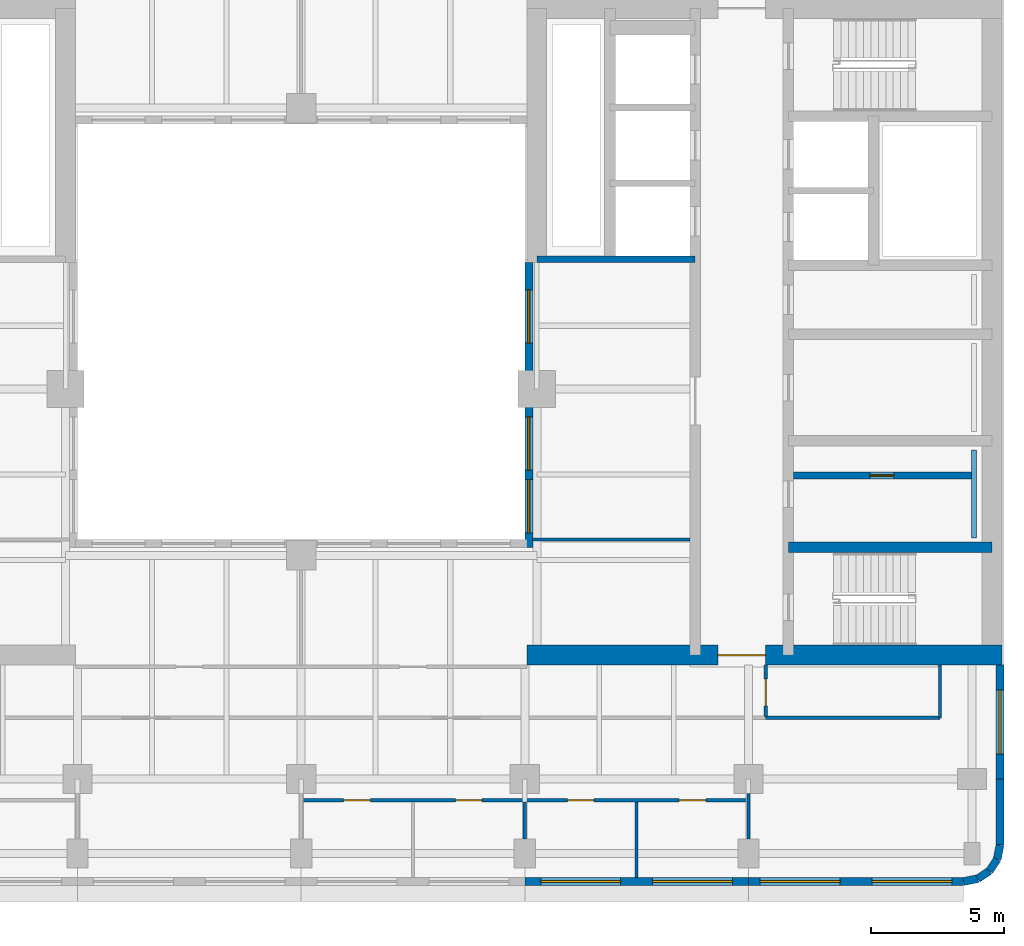
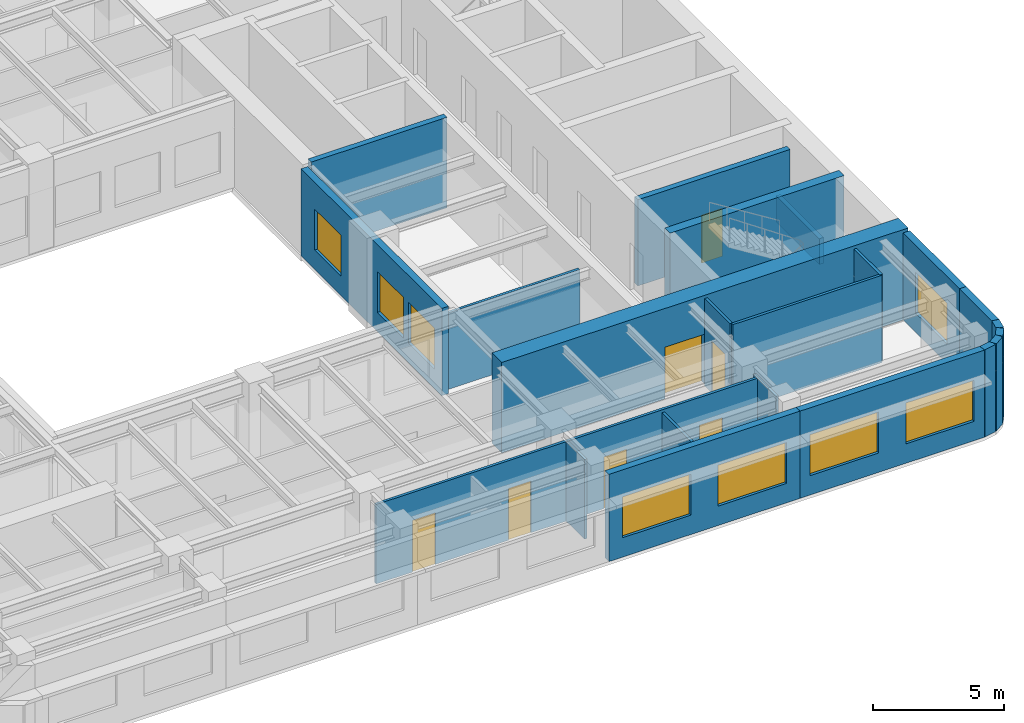
# One storey, part 5 of 11: 22 walls, 8 windows, 7 doors, 15 openings.
"""IFC4 building model written with IfcOpenShell, lengths in metres."""

from ifc_helpers import new_model, si_unit, direction, frame, frame_2d, origin, place, context, subcontext, project, spatial, rectangle, extrude, material, layer, layer_set, type_object, element, fill, save


model = new_model("IFC4")

# Units and contexts
model_context = context("Model", 3, precision=1e-05, world=origin(), true_north=direction((0.0, 1.0)))
body_context = subcontext(model_context, "Body", "Model", "MODEL_VIEW")
ifc_project = project(units=[si_unit("LENGTHUNIT", "METRE"), si_unit("AREAUNIT", "SQUARE_METRE"), si_unit("VOLUMEUNIT", "CUBIC_METRE"), si_unit("PLANEANGLEUNIT", "RADIAN"), si_unit("MASSUNIT", "GRAM", prefix="KILO")], contexts=[model_context])

# Site, building, storey
site_placement = place(None, origin())
site = spatial("IfcSite", under=ifc_project, at=site_placement, CompositionType="ELEMENT")
building_placement = place(site_placement, origin())
building = spatial("IfcBuilding", under=site, at=building_placement, Name="Claustro Exchange Tower", CompositionType="ELEMENT")
storey_placement = place(building_placement, frame((0.0, 0.0, 232.199951171875)))
storey = spatial("IfcBuildingStorey", under=building, at=storey_placement, Name="L53", CompositionType="ELEMENT", Elevation=232.199951171875)

# Wall
ifc_material_1 = material(Name="Laminated glass in aluminium frame", Category="aluminium")
ifc_layer_1 = layer(ifc_material_1, 0.1201171875)
ifc_layer_set_1 = layer_set([ifc_layer_1], Name="Laminated glass in aluminium frame")
wall_type_1 = type_object("IfcWallType", Name="P2 120 glazed partition", PredefinedType="PARTITIONING", material=ifc_layer_set_1)
wall_1_placement = place(storey_placement, frame((33.89794921875, 17.39990234375, 0.0), z_axis=(0.0, 0.0, 1.0), x_axis=(1.0, 0.0, 0.0)))
element("IfcWall", 1, at=wall_1_placement, inside=storey, type_object=wall_type_1, Name="Partition P2 L53", PredefinedType="PARTITIONING", context=body_context, shape_type="SweptSolid", body=[
    extrude(rectangle(XDim=5.904052734375, YDim=0.1201171875, at=frame_2d((2.9521484375, 0.0))), origin(), (0.0, 0.0, 1.0), 3.550048828125),
])

# Wall, openings, doors
wall_2_placement = place(storey_placement, frame((25.199951171875, 7.60009765625, 0.0), z_axis=(0.0, 0.0, 1.0), x_axis=(1.0, 0.0, 0.0)))
wall_2 = element("IfcWall", 2, at=wall_2_placement, inside=storey, type_object=wall_type_1, Name="Partition P2 L53", PredefinedType="PARTITIONING", context=body_context, shape_type="SweptSolid", body=[
    extrude(rectangle(XDim=16.800048828125, YDim=0.1201171875, at=frame_2d((8.39990234375, 0.0))), origin(), (0.0, 0.0, 1.0), 3.68994140625),
])
opening_1_placement = place(wall_2_placement, frame((1.60009765625, 0.0, 0.0)))
opening_1 = element("IfcOpeningElement", 3, at=opening_1_placement, cuts=wall_2, Name="Opening D7", PredefinedType="OPENING", context=body_context, shape_type="SweptSolid", body=[
    extrude(rectangle(XDim=1.0, YDim=2.39990234375, at=frame_2d((0.5, 1.199951171875))), frame((0.0, 0.070068359375, 0.0), z_axis=(0.0, -1.0, 0.0), x_axis=(1.0, 0.0, 0.0)), (0.0, 0.0, 1.0), 0.14013671875),
])
opening_2_placement = place(wall_2_placement, frame((5.800048828125, 0.0, 0.0)))
opening_2 = element("IfcOpeningElement", 4, at=opening_2_placement, cuts=wall_2, Name="Opening D7", PredefinedType="OPENING", context=body_context, shape_type="SweptSolid", body=[
    extrude(rectangle(XDim=1.0, YDim=2.39990234375, at=frame_2d((0.5, 1.199951171875))), frame((0.0, 0.070068359375, 0.0), z_axis=(0.0, -1.0, 0.0), x_axis=(1.0, 0.0, 0.0)), (0.0, 0.0, 1.0), 0.14013671875),
])
opening_3_placement = place(wall_2_placement, frame((10.0, 0.0, 0.0)))
opening_3 = element("IfcOpeningElement", 5, at=opening_3_placement, cuts=wall_2, Name="Opening D7", PredefinedType="OPENING", context=body_context, shape_type="SweptSolid", body=[
    extrude(rectangle(XDim=1.0, YDim=2.39990234375, at=frame_2d((0.5, 1.199951171875))), frame((0.0, 0.070068359375, 0.0), z_axis=(0.0, -1.0, 0.0), x_axis=(1.0, 0.0, 0.0)), (0.0, 0.0, 1.0), 0.14013671875),
])
opening_4_placement = place(wall_2_placement, frame((14.199951171875, 0.0, 0.0)))
opening_4 = element("IfcOpeningElement", 6, at=opening_4_placement, cuts=wall_2, Name="Opening D7", PredefinedType="OPENING", context=body_context, shape_type="SweptSolid", body=[
    extrude(rectangle(XDim=1.0, YDim=2.39990234375, at=frame_2d((0.5, 1.199951171875))), frame((0.0, 0.070068359375, 0.0), z_axis=(0.0, -1.0, 0.0), x_axis=(1.0, 0.0, 0.0)), (0.0, 0.0, 1.0), 0.14013671875),
])
ifc_material_2 = material(Name="Glass door in aluminium frame", Category="aluminium")
door_type_1 = type_object("IfcDoorType", Name="D7 1000 x 2400 glazed door", OperationType="SINGLE_SWING_LEFT", PredefinedType="DOOR", material=ifc_material_2)
door_1_placement = place(opening_1_placement, frame((1.0, 0.0, 0.0), z_axis=(0.0, 0.0, 1.0), x_axis=(-1.0, 0.0, 0.0)))
door_1 = element("IfcDoor", 7, at=door_1_placement, inside=storey, type_object=door_type_1, Name="Door D7 L53", OperationType="SINGLE_SWING_LEFT", OverallHeight=2.39990234375, OverallWidth=1.0, PredefinedType="DOOR", context=body_context, shape_type="SweptSolid", body=[
    extrude(rectangle(XDim=1.0, YDim=2.39990234375, at=frame_2d((0.5, 1.199951171875))), frame((0.0, 0.02490234375, 0.0), z_axis=(0.0, -1.0, 0.0), x_axis=(1.0, 0.0, 0.0)), (0.0, 0.0, 1.0), 0.050048828125),
])
fill(opening_1, door_1)
door_2_placement = place(opening_2_placement, frame((1.0, 0.0, 0.0), z_axis=(0.0, 0.0, 1.0), x_axis=(-1.0, 0.0, 0.0)))
door_2 = element("IfcDoor", 8, at=door_2_placement, inside=storey, type_object=door_type_1, Name="Door D7 L53", OperationType="SINGLE_SWING_RIGHT", OverallHeight=2.39990234375, OverallWidth=1.0, PredefinedType="DOOR", context=body_context, shape_type="SweptSolid", body=[
    extrude(rectangle(XDim=1.0, YDim=2.39990234375, at=frame_2d((0.5, 1.199951171875))), frame((0.0, 0.02490234375, 0.0), z_axis=(0.0, -1.0, 0.0), x_axis=(1.0, 0.0, 0.0)), (0.0, 0.0, 1.0), 0.050048828125),
])
fill(opening_2, door_2)
door_3_placement = place(opening_3_placement, frame((1.0, 0.0, 0.0), z_axis=(0.0, 0.0, 1.0), x_axis=(-1.0, 0.0, 0.0)))
door_3 = element("IfcDoor", 9, at=door_3_placement, inside=storey, type_object=door_type_1, Name="Door D7 L53", OperationType="SINGLE_SWING_RIGHT", OverallHeight=2.39990234375, OverallWidth=1.0, PredefinedType="DOOR", context=body_context, shape_type="SweptSolid", body=[
    extrude(rectangle(XDim=1.0, YDim=2.39990234375, at=frame_2d((0.5, 1.199951171875))), frame((0.0, 0.02490234375, 0.0), z_axis=(0.0, -1.0, 0.0), x_axis=(1.0, 0.0, 0.0)), (0.0, 0.0, 1.0), 0.050048828125),
])
fill(opening_3, door_3)
door_4_placement = place(opening_4_placement, frame((1.0, 0.0, 0.0), z_axis=(0.0, 0.0, 1.0), x_axis=(-1.0, 0.0, 0.0)))
door_4 = element("IfcDoor", 10, at=door_4_placement, inside=storey, type_object=door_type_1, Name="Door D7 L53", OperationType="SINGLE_SWING_RIGHT", OverallHeight=2.39990234375, OverallWidth=1.0, PredefinedType="DOOR", context=body_context, shape_type="SweptSolid", body=[
    extrude(rectangle(XDim=1.0, YDim=2.39990234375, at=frame_2d((0.5, 1.199951171875))), frame((0.0, 0.02490234375, 0.0), z_axis=(0.0, -1.0, 0.0), x_axis=(1.0, 0.0, 0.0)), (0.0, 0.0, 1.0), 0.050048828125),
])
fill(opening_4, door_4)

# Walls
wall_3_placement = place(storey_placement, frame((33.60009765625, 6.14892578125, 0.0), z_axis=(0.0, 0.0, 1.0), x_axis=(0.0, 1.0, 0.0)))
element("IfcWall", 11, at=wall_3_placement, inside=storey, type_object=wall_type_1, Name="Partition P2 L53", PredefinedType="PARTITIONING", context=body_context, shape_type="SweptSolid", body=[
    extrude(rectangle(XDim=1.39306640625, YDim=0.1201171875, at=frame_2d((0.696533203125, 0.0))), origin(), (0.0, 0.0, 1.0), 3.68994140625),
])
wall_4_placement = place(storey_placement, frame((37.800048828125, 4.699951171875, 0.0), z_axis=(0.0, 0.0, 1.0), x_axis=(0.0, 1.0, 0.0)))
element("IfcWall", 12, at=wall_4_placement, inside=storey, type_object=wall_type_1, Name="Partition P2 L53", PredefinedType="PARTITIONING", context=body_context, shape_type="SweptSolid", body=[
    extrude(rectangle(XDim=2.842041015625, YDim=0.1201171875, at=frame_2d((1.4208984375, 0.0))), origin(), (0.0, 0.0, 1.0), 3.56005859375),
])
wall_5_placement = place(storey_placement, frame((42.0, 6.14892578125, 0.0), z_axis=(0.0, 0.0, 1.0), x_axis=(0.0, 1.0, 0.0)))
element("IfcWall", 13, at=wall_5_placement, inside=storey, type_object=wall_type_1, Name="Partition P2 L53", PredefinedType="PARTITIONING", context=body_context, shape_type="SweptSolid", body=[
    extrude(rectangle(XDim=1.703125, YDim=0.1201171875, at=frame_2d((0.8515625, 0.0))), origin(), (0.0, 0.0, 1.0), 3.68994140625),
])

# Wall, opening, door
wall_6_placement = place(storey_placement, frame((42.64990234375, 10.758056640625, 0.0), z_axis=(0.0, 0.0, 1.0), x_axis=(0.0, 1.0, 0.0)))
wall_6 = element("IfcWall", 14, at=wall_6_placement, inside=storey, type_object=wall_type_1, Name="Partition P2 L53", PredefinedType="PARTITIONING", context=body_context, shape_type="SweptSolid", body=[
    extrude(rectangle(XDim=1.91796875, YDim=0.1201171875, at=frame_2d((0.958984375, 0.0))), origin(), (0.0, 0.0, 1.0), 4.050048828125),
])
opening_5_placement = place(wall_6_placement, frame((0.39208984375, 0.0, 0.0)))
opening_5 = element("IfcOpeningElement", 15, at=opening_5_placement, cuts=wall_6, Name="Opening D7", PredefinedType="OPENING", context=body_context, shape_type="SweptSolid", body=[
    extrude(rectangle(XDim=1.0, YDim=2.39990234375, at=frame_2d((0.5, 1.199951171875))), frame((0.0, 0.070068359375, 0.0), z_axis=(0.0, -1.0, 0.0), x_axis=(1.0, 0.0, 0.0)), (0.0, 0.0, 1.0), 0.14013671875),
])
door_5_placement = place(opening_5_placement, frame((1.0, 0.0, 0.0), z_axis=(0.0, 0.0, 1.0), x_axis=(-1.0, 0.0, 0.0)))
door_5 = element("IfcDoor", 16, at=door_5_placement, inside=storey, type_object=door_type_1, Name="Door D7 L53", OperationType="SINGLE_SWING_RIGHT", OverallHeight=2.39990234375, OverallWidth=1.0, PredefinedType="DOOR", context=body_context, shape_type="SweptSolid", body=[
    extrude(rectangle(XDim=1.0, YDim=2.39990234375, at=frame_2d((0.5, 1.199951171875))), frame((0.0, 0.02490234375, 0.0), z_axis=(0.0, -1.0, 0.0), x_axis=(1.0, 0.0, 0.0)), (0.0, 0.0, 1.0), 0.050048828125),
])
fill(opening_5, door_5)

# Walls
wall_7_placement = place(storey_placement, frame((42.64794921875, 10.699951171875, 0.0), z_axis=(0.0, 0.0, 1.0), x_axis=(1.0, 0.0, 0.0)))
element("IfcWall", 17, at=wall_7_placement, inside=storey, type_object=wall_type_1, Name="Partition P2 L53", PredefinedType="PARTITIONING", context=body_context, shape_type="SweptSolid", body=[
    extrude(rectangle(XDim=6.552001953125, YDim=0.1201171875, at=frame_2d((3.27587890625, 0.0))), origin(), (0.0, 0.0, 1.0), 4.050048828125),
])
wall_8_placement = place(storey_placement, frame((49.199951171875, 10.699951171875, 0.0), z_axis=(0.0, 0.0, 1.0), x_axis=(0.0, 1.0, 0.0)))
element("IfcWall", 18, at=wall_8_placement, inside=storey, type_object=wall_type_1, Name="Partition P2 L53", PredefinedType="PARTITIONING", context=body_context, shape_type="SweptSolid", body=[
    extrude(rectangle(XDim=1.97607421875, YDim=0.1201171875, at=frame_2d((0.988037109375, 0.0))), origin(), (0.0, 0.0, 1.0), 4.050048828125),
])

# Wall, opening, door
ifc_material_3 = material(Name="Concrete blockwork, rendered", Category="masonry")
ifc_layer_2 = layer(ifc_material_3, 0.25)
ifc_layer_set_2 = layer_set([ifc_layer_2], Name="Concrete blockwork, rendered")
wall_type_2 = type_object("IfcWallType", Name="P4 250 blockwork wall", PredefinedType="PARTITIONING", material=ifc_layer_set_2)
wall_9_placement = place(storey_placement, frame((43.699951171875, 19.800048828125, 0.0), z_axis=(0.0, 0.0, 1.0), x_axis=(1.0, 0.0, 0.0)))
wall_9 = element("IfcWall", 19, at=wall_9_placement, inside=storey, type_object=wall_type_2, Name="Partition P4 L53", PredefinedType="PARTITIONING", context=body_context, shape_type="SweptSolid", body=[
    extrude(rectangle(XDim=6.675048828125, YDim=0.25, at=frame_2d((3.33740234375, 0.0))), origin(), (0.0, 0.0, 1.0), 4.0),
])
opening_6_placement = place(wall_9_placement, frame((2.862548828125, 0.0, 0.0)))
opening_6 = element("IfcOpeningElement", 20, at=opening_6_placement, cuts=wall_9, Name="Opening D5", PredefinedType="OPENING", context=body_context, shape_type="SweptSolid", body=[
    extrude(rectangle(XDim=0.89990234375, YDim=2.199951171875, at=frame_2d((0.449951171875, 1.10009765625))), frame((0.0, 0.135009765625, 0.0), z_axis=(0.0, -1.0, 0.0), x_axis=(1.0, 0.0, 0.0)), (0.0, 0.0, 1.0), 0.27001953125),
])
ifc_material_4 = material(Name="Steel door, painted", Category="steel")
door_type_2 = type_object("IfcDoorType", Name="D5 900 x 2200 store door", OperationType="SINGLE_SWING_LEFT", PredefinedType="DOOR", material=ifc_material_4)
door_6_placement = place(opening_6_placement, origin())
door_6 = element("IfcDoor", 21, at=door_6_placement, inside=storey, type_object=door_type_2, Name="Store door D5 L53", OperationType="SINGLE_SWING_LEFT", OverallHeight=2.199951171875, OverallWidth=0.89990234375, PredefinedType="DOOR", context=body_context, shape_type="SweptSolid", body=[
    extrude(rectangle(XDim=0.89990234375, YDim=2.199951171875, at=frame_2d((0.449951171875, 1.10009765625))), frame((0.0, 0.02490234375, 0.0), z_axis=(0.0, -1.0, 0.0), x_axis=(1.0, 0.0, 0.0)), (0.0, 0.0, 1.0), 0.050048828125),
])
fill(opening_6, door_6)

# Wall, openings, windows
ifc_material_5 = material(Name="Concrete HA-40 (C40/50), precast, white cement, acid-etched", Category="concrete")
ifc_layer_3 = layer(ifc_material_5, 0.300048828125)
ifc_layer_set_3 = layer_set([ifc_layer_3], Name="Concrete HA-40 (C40/50), precast, white cement, acid-etched")
wall_type_3 = type_object("IfcWallType", Name="PC1 300 precast concrete pier panel", PredefinedType="SOLIDWALL", material=ifc_layer_set_3)
wall_10_placement = place(storey_placement, frame((50.085205078125, 4.550048828125, 0.0), z_axis=(0.0, 0.0, 1.0), x_axis=(-1.0, 0.0, 0.0)))
wall_10 = element("IfcWall", 22, at=wall_10_placement, inside=storey, type_object=wall_type_3, Name="Precast pier panel PC1 L53", PredefinedType="SOLIDWALL", context=body_context, shape_type="SweptSolid", body=[
    extrude(rectangle(XDim=8.085205078125, YDim=0.300048828125, at=frame_2d((4.04248046875, 0.0))), origin(), (0.0, 0.0, 1.0), 4.050048828125),
])
opening_7_placement = place(wall_10_placement, frame((0.442626953125, 0.0, 0.89990234375)))
opening_7 = element("IfcOpeningElement", 23, at=opening_7_placement, cuts=wall_10, Name="Opening W1", PredefinedType="OPENING", context=body_context, shape_type="SweptSolid", body=[
    extrude(rectangle(XDim=3.0, YDim=1.89990234375, at=frame_2d((1.5, 0.949951171875))), frame((0.0, 0.159912109375, 0.0), z_axis=(0.0, -1.0, 0.0), x_axis=(1.0, 0.0, 0.0)), (0.0, 0.0, 1.0), 0.320068359375),
])
opening_8_placement = place(wall_10_placement, frame((4.642578125, 0.0, 0.89990234375)))
opening_8 = element("IfcOpeningElement", 24, at=opening_8_placement, cuts=wall_10, Name="Opening W1", PredefinedType="OPENING", context=body_context, shape_type="SweptSolid", body=[
    extrude(rectangle(XDim=3.0, YDim=1.89990234375, at=frame_2d((1.5, 0.949951171875))), frame((0.0, 0.159912109375, 0.0), z_axis=(0.0, -1.0, 0.0), x_axis=(1.0, 0.0, 0.0)), (0.0, 0.0, 1.0), 0.320068359375),
])
ifc_material_6 = material(Name="Aluminium frame, clear double glazing", Category="aluminium")
window_type_1 = type_object("IfcWindowType", Name="W1 3000 x 1900 window", PartitioningType="SINGLE_PANEL", PredefinedType="WINDOW", material=ifc_material_6)
window_1_placement = place(opening_7_placement, origin())
window_1 = element("IfcWindow", 25, at=window_1_placement, inside=storey, type_object=window_type_1, Name="Window W1 L53", OverallHeight=1.89990234375, OverallWidth=3.0, PartitioningType="SINGLE_PANEL", PredefinedType="WINDOW", context=body_context, shape_type="SweptSolid", body=[
    extrude(rectangle(XDim=3.0, YDim=1.89990234375, at=frame_2d((1.5, 0.949951171875))), frame((0.0, 0.030029296875, 0.0), z_axis=(0.0, -1.0, 0.0), x_axis=(1.0, 0.0, 0.0)), (0.0, 0.0, 1.0), 0.06005859375),
])
fill(opening_7, window_1)
window_2_placement = place(opening_8_placement, origin())
window_2 = element("IfcWindow", 26, at=window_2_placement, inside=storey, type_object=window_type_1, Name="Window W1 L53", OverallHeight=1.89990234375, OverallWidth=3.0, PartitioningType="SINGLE_PANEL", PredefinedType="WINDOW", context=body_context, shape_type="SweptSolid", body=[
    extrude(rectangle(XDim=3.0, YDim=1.89990234375, at=frame_2d((1.5, 0.949951171875))), frame((0.0, 0.030029296875, 0.0), z_axis=(0.0, -1.0, 0.0), x_axis=(1.0, 0.0, 0.0)), (0.0, 0.0, 1.0), 0.06005859375),
])
fill(opening_8, window_2)

wall_11_placement = place(storey_placement, frame((42.0, 4.550048828125, 0.0), z_axis=(0.0, 0.0, 1.0), x_axis=(-1.0, 0.0, 0.0)))
wall_11 = element("IfcWall", 27, at=wall_11_placement, inside=storey, type_object=wall_type_3, Name="Precast pier panel PC1 L53", PredefinedType="SOLIDWALL", context=body_context, shape_type="SweptSolid", body=[
    extrude(rectangle(XDim=8.39990234375, YDim=0.300048828125, at=frame_2d((4.199951171875, 0.0))), origin(), (0.0, 0.0, 1.0), 4.050048828125),
])
opening_9_placement = place(wall_11_placement, frame((0.60009765625, 0.0, 0.89990234375)))
opening_9 = element("IfcOpeningElement", 28, at=opening_9_placement, cuts=wall_11, Name="Opening W1", PredefinedType="OPENING", context=body_context, shape_type="SweptSolid", body=[
    extrude(rectangle(XDim=3.0, YDim=1.89990234375, at=frame_2d((1.5, 0.949951171875))), frame((0.0, 0.159912109375, 0.0), z_axis=(0.0, -1.0, 0.0), x_axis=(1.0, 0.0, 0.0)), (0.0, 0.0, 1.0), 0.320068359375),
])
opening_10_placement = place(wall_11_placement, frame((4.800048828125, 0.0, 0.89990234375)))
opening_10 = element("IfcOpeningElement", 29, at=opening_10_placement, cuts=wall_11, Name="Opening W1", PredefinedType="OPENING", context=body_context, shape_type="SweptSolid", body=[
    extrude(rectangle(XDim=3.0, YDim=1.89990234375, at=frame_2d((1.5, 0.949951171875))), frame((0.0, 0.159912109375, 0.0), z_axis=(0.0, -1.0, 0.0), x_axis=(1.0, 0.0, 0.0)), (0.0, 0.0, 1.0), 0.320068359375),
])
window_3_placement = place(opening_9_placement, origin())
window_3 = element("IfcWindow", 30, at=window_3_placement, inside=storey, type_object=window_type_1, Name="Window W1 L53", OverallHeight=1.89990234375, OverallWidth=3.0, PartitioningType="SINGLE_PANEL", PredefinedType="WINDOW", context=body_context, shape_type="SweptSolid", body=[
    extrude(rectangle(XDim=3.0, YDim=1.89990234375, at=frame_2d((1.5, 0.949951171875))), frame((0.0, 0.030029296875, 0.0), z_axis=(0.0, -1.0, 0.0), x_axis=(1.0, 0.0, 0.0)), (0.0, 0.0, 1.0), 0.06005859375),
])
fill(opening_9, window_3)
window_4_placement = place(opening_10_placement, origin())
window_4 = element("IfcWindow", 31, at=window_4_placement, inside=storey, type_object=window_type_1, Name="Window W1 L53", OverallHeight=1.89990234375, OverallWidth=3.0, PartitioningType="SINGLE_PANEL", PredefinedType="WINDOW", context=body_context, shape_type="SweptSolid", body=[
    extrude(rectangle(XDim=3.0, YDim=1.89990234375, at=frame_2d((1.5, 0.949951171875))), frame((0.0, 0.030029296875, 0.0), z_axis=(0.0, -1.0, 0.0), x_axis=(1.0, 0.0, 0.0)), (0.0, 0.0, 1.0), 0.06005859375),
])
fill(opening_10, window_4)

# Wall, opening, window
wall_12_placement = place(storey_placement, frame((51.449951171875, 12.675048828125, 0.0), z_axis=(0.0, 0.0, 1.0), x_axis=(0.0, -1.0, 0.0)))
wall_12 = element("IfcWall", 32, at=wall_12_placement, inside=storey, type_object=wall_type_3, Name="Precast pier panel PC1 L53", PredefinedType="SOLIDWALL", context=body_context, shape_type="SweptSolid", body=[
    extrude(rectangle(XDim=4.275146484375, YDim=0.300048828125, at=frame_2d((2.1376953125, 0.0))), origin(), (0.0, 0.0, 1.0), 4.050048828125),
])
opening_11_placement = place(wall_12_placement, frame((0.9375, 0.0, 0.89990234375)))
opening_11 = element("IfcOpeningElement", 33, at=opening_11_placement, cuts=wall_12, Name="Opening W2", PredefinedType="OPENING", context=body_context, shape_type="SweptSolid", body=[
    extrude(rectangle(XDim=2.39990234375, YDim=1.89990234375, at=frame_2d((1.199951171875, 0.949951171875))), frame((0.0, 0.159912109375, 0.0), z_axis=(0.0, -1.0, 0.0), x_axis=(1.0, 0.0, 0.0)), (0.0, 0.0, 1.0), 0.320068359375),
])
ifc_material_7 = material(Name="Aluminium frame, clear double glazing", Category="aluminium")
window_type_2 = type_object("IfcWindowType", Name="W2 2400 x 1900 window", PartitioningType="SINGLE_PANEL", PredefinedType="WINDOW", material=ifc_material_7)
window_5_placement = place(opening_11_placement, origin())
window_5 = element("IfcWindow", 34, at=window_5_placement, inside=storey, type_object=window_type_2, Name="Window W2 L53", OverallHeight=1.89990234375, OverallWidth=2.39990234375, PartitioningType="SINGLE_PANEL", PredefinedType="WINDOW", context=body_context, shape_type="SweptSolid", body=[
    extrude(rectangle(XDim=2.39990234375, YDim=1.89990234375, at=frame_2d((1.199951171875, 0.949951171875))), frame((0.0, 0.030029296875, 0.0), z_axis=(0.0, -1.0, 0.0), x_axis=(1.0, 0.0, 0.0)), (0.0, 0.0, 1.0), 0.06005859375),
])
fill(opening_11, window_5)

# Walls
wall_13_placement = place(storey_placement, frame((51.449951171875, 8.39990234375, 0.0), z_axis=(0.0, 0.0, 1.0), x_axis=(0.0, -1.0, 0.0)))
element("IfcWall", 35, at=wall_13_placement, inside=storey, type_object=wall_type_3, Name="Precast pier panel PC1 L53", PredefinedType="SOLIDWALL", context=body_context, shape_type="SweptSolid", body=[
    extrude(rectangle(XDim=2.485107421875, YDim=0.300048828125, at=frame_2d((1.24267578125, 0.0))), origin(), (0.0, 0.0, 1.0), 4.050048828125),
])
wall_14_placement = place(storey_placement, frame((51.449951171875, 5.914794921875, 0.0), z_axis=(0.0, 0.0, 1.0), x_axis=(-0.195073962632, -0.980788534345, 0.0)))
element("IfcWall", 36, at=wall_14_placement, inside=storey, type_object=wall_type_3, Name="Precast pier panel PC1 L53", PredefinedType="SOLIDWALL", context=body_context, shape_type="SweptSolid", body=[
    extrude(rectangle(XDim=0.540771484375, YDim=0.300048828125, at=frame_2d((0.2705078125, 0.0))), origin(), (0.0, 0.0, 1.0), 4.050048828125),
])
for number, where, z_axis, x_axis, name in (
    (37, (51.344482421875, 5.384521484375, 0.0), (0.0, 0.0, 1.0), (-0.555557463938, -0.831478144188, 0.0), "Precast pier panel PC1 L53"),
    (38, (51.052490234375, 4.947509765625, 0.0), (0.0, 0.0, 1.0), (-0.831478144188, -0.555557463938, 0.0), "Precast pier panel PC1 L53"),
):
    element("IfcWall", number, at=place(storey_placement, frame(where, z_axis=z_axis, x_axis=x_axis)), inside=storey, type_object=wall_type_3, Name=name, PredefinedType="SOLIDWALL", context=body_context, shape_type="SweptSolid", body=[
        extrude(rectangle(XDim=0.525634765625, YDim=0.300048828125, at=frame_2d((0.2626953125, 0.0))), origin(), (0.0, 0.0, 1.0), 4.050048828125),
    ])
wall_15_placement = place(storey_placement, frame((50.615478515625, 4.655517578125, 0.0), z_axis=(0.0, 0.0, 1.0), x_axis=(-0.980788534345, -0.195073962632, 0.0)))
element("IfcWall", 39, at=wall_15_placement, inside=storey, type_object=wall_type_3, Name="Precast pier panel PC1 L53", PredefinedType="SOLIDWALL", context=body_context, shape_type="SweptSolid", body=[
    extrude(rectangle(XDim=0.540771484375, YDim=0.300048828125, at=frame_2d((0.2705078125, 0.0))), origin(), (0.0, 0.0, 1.0), 4.050048828125),
])

# Wall, openings, windows
wall_16_placement = place(storey_placement, frame((33.75, 17.10009765625, 0.0), z_axis=(0.0, 0.0, 1.0), x_axis=(0.0, 1.0, 0.0)))
wall_16 = element("IfcWall", 40, at=wall_16_placement, inside=storey, type_object=wall_type_3, Name="Precast pier panel PC1 L53", PredefinedType="SOLIDWALL", context=body_context, shape_type="SweptSolid", body=[
    extrude(rectangle(XDim=10.699951171875, YDim=0.300048828125, at=frame_2d((5.35009765625, 0.0))), origin(), (0.0, 0.0, 1.0), 4.050048828125),
])
opening_12_placement = place(wall_16_placement, frame((0.550048828125, 0.0, 0.89990234375)))
opening_12 = element("IfcOpeningElement", 41, at=opening_12_placement, cuts=wall_16, Name="Opening W4", PredefinedType="OPENING", context=body_context, shape_type="SweptSolid", body=[
    extrude(rectangle(XDim=2.0, YDim=1.89990234375, at=frame_2d((1.0, 0.949951171875))), frame((0.0, 0.159912109375, 0.0), z_axis=(0.0, -1.0, 0.0), x_axis=(1.0, 0.0, 0.0)), (0.0, 0.0, 1.0), 0.320068359375),
])
opening_13_placement = place(wall_16_placement, frame((2.89990234375, 0.0, 0.89990234375)))
opening_13 = element("IfcOpeningElement", 42, at=opening_13_placement, cuts=wall_16, Name="Opening W4", PredefinedType="OPENING", context=body_context, shape_type="SweptSolid", body=[
    extrude(rectangle(XDim=2.0, YDim=1.89990234375, at=frame_2d((1.0, 0.949951171875))), frame((0.0, 0.159912109375, 0.0), z_axis=(0.0, -1.0, 0.0), x_axis=(1.0, 0.0, 0.0)), (0.0, 0.0, 1.0), 0.320068359375),
])
opening_14_placement = place(wall_16_placement, frame((7.675048828125, 0.0, 0.89990234375)))
opening_14 = element("IfcOpeningElement", 43, at=opening_14_placement, cuts=wall_16, Name="Opening W4", PredefinedType="OPENING", context=body_context, shape_type="SweptSolid", body=[
    extrude(rectangle(XDim=2.0, YDim=1.89990234375, at=frame_2d((1.0, 0.949951171875))), frame((0.0, 0.159912109375, 0.0), z_axis=(0.0, -1.0, 0.0), x_axis=(1.0, 0.0, 0.0)), (0.0, 0.0, 1.0), 0.320068359375),
])
ifc_material_8 = material(Name="Aluminium frame, clear double glazing", Category="aluminium")
window_type_3 = type_object("IfcWindowType", Name="W4 2000 x 1900 light well window", PartitioningType="SINGLE_PANEL", PredefinedType="WINDOW", material=ifc_material_8)
window_6_placement = place(opening_12_placement, origin())
window_6 = element("IfcWindow", 44, at=window_6_placement, inside=storey, type_object=window_type_3, Name="Window W4 L53", OverallHeight=1.89990234375, OverallWidth=2.0, PartitioningType="SINGLE_PANEL", PredefinedType="WINDOW", context=body_context, shape_type="SweptSolid", body=[
    extrude(rectangle(XDim=2.0, YDim=1.89990234375, at=frame_2d((1.0, 0.949951171875))), frame((0.0, 0.030029296875, 0.0), z_axis=(0.0, -1.0, 0.0), x_axis=(1.0, 0.0, 0.0)), (0.0, 0.0, 1.0), 0.06005859375),
])
fill(opening_12, window_6)
window_7_placement = place(opening_13_placement, origin())
window_7 = element("IfcWindow", 45, at=window_7_placement, inside=storey, type_object=window_type_3, Name="Window W4 L53", OverallHeight=1.89990234375, OverallWidth=2.0, PartitioningType="SINGLE_PANEL", PredefinedType="WINDOW", context=body_context, shape_type="SweptSolid", body=[
    extrude(rectangle(XDim=2.0, YDim=1.89990234375, at=frame_2d((1.0, 0.949951171875))), frame((0.0, 0.030029296875, 0.0), z_axis=(0.0, -1.0, 0.0), x_axis=(1.0, 0.0, 0.0)), (0.0, 0.0, 1.0), 0.06005859375),
])
fill(opening_13, window_7)
window_8_placement = place(opening_14_placement, origin())
window_8 = element("IfcWindow", 46, at=window_8_placement, inside=storey, type_object=window_type_3, Name="Window W4 L53", OverallHeight=1.89990234375, OverallWidth=2.0, PartitioningType="SINGLE_PANEL", PredefinedType="WINDOW", context=body_context, shape_type="SweptSolid", body=[
    extrude(rectangle(XDim=2.0, YDim=1.89990234375, at=frame_2d((1.0, 0.949951171875))), frame((0.0, 0.030029296875, 0.0), z_axis=(0.0, -1.0, 0.0), x_axis=(1.0, 0.0, 0.0)), (0.0, 0.0, 1.0), 0.06005859375),
])
fill(opening_14, window_8)

# Wall
ifc_material_9 = material(Name="Gypsum board on steel studs, tiled", Category="steel")
ifc_layer_4 = layer(ifc_material_9, 0.199951171875)
ifc_layer_set_4 = layer_set([ifc_layer_4], Name="Gypsum board on steel studs, tiled")
wall_type_4 = type_object("IfcWallType", Name="PW1 200 WC duct wall", PredefinedType="PLUMBINGWALL", material=ifc_layer_set_4)
wall_17_placement = place(storey_placement, frame((50.47509765625, 17.449951171875, 0.0), z_axis=(0.0, 0.0, 1.0), x_axis=(0.0, 1.0, 0.0)))
element("IfcWall", 47, at=wall_17_placement, inside=storey, type_object=wall_type_4, Name="WC duct wall PW1 L53", PredefinedType="PLUMBINGWALL", context=body_context, shape_type="SweptSolid", body=[
    extrude(rectangle(XDim=3.300048828125, YDim=0.199951171875, at=frame_2d((1.64990234375, 0.0))), origin(), (0.0, 0.0, 1.0), 1.199951171875),
])

# Wall, opening, door
ifc_material_10 = material(Name="Concrete HA-70 (C70/85)", Category="concrete")
ifc_layer_5 = layer(ifc_material_10, 0.75)
ifc_layer_set_5 = layer_set([ifc_layer_5], Name="Concrete HA-70 (C70/85)")
wall_type_5 = type_object("IfcWallType", Name="SW2 750 core shear wall", PredefinedType="SHEAR", material=ifc_layer_set_5)
wall_18_placement = place(storey_placement, frame((33.675048828125, 13.050048828125, 0.0), z_axis=(0.0, 0.0, 1.0), x_axis=(1.0, 0.0, 0.0)))
wall_18 = element("IfcWall", 48, at=wall_18_placement, inside=storey, type_object=wall_type_5, Name="Core wall SW2 E core S face L53", PredefinedType="SHEAR", context=body_context, shape_type="SweptSolid", body=[
    extrude(rectangle(XDim=17.849853515625, YDim=0.75, at=frame_2d((8.9248046875, 0.0))), origin(), (0.0, 0.0, 1.0), 4.199951171875),
])
opening_15_placement = place(wall_18_placement, frame((7.175048828125, 0.0, 0.0)))
opening_15 = element("IfcOpeningElement", 49, at=opening_15_placement, cuts=wall_18, Name="Opening D3", PredefinedType="OPENING", context=body_context, shape_type="SweptSolid", body=[
    extrude(rectangle(XDim=1.800048828125, YDim=2.39990234375, at=frame_2d((0.89990234375, 1.199951171875))), frame((0.0, 0.385009765625, 0.0), z_axis=(0.0, -1.0, 0.0), x_axis=(1.0, 0.0, 0.0)), (0.0, 0.0, 1.0), 0.77001953125),
])
ifc_material_11 = material(Name="Steel fire door, painted", Category="steel")
door_type_3 = type_object("IfcDoorType", Name="D3 1800 x 2400 fire-rated lobby double door", OperationType="DOUBLE_DOOR_SINGLE_SWING", PredefinedType="DOOR", material=ifc_material_11)
door_7_placement = place(opening_15_placement, origin())
door_7 = element("IfcDoor", 50, at=door_7_placement, inside=storey, type_object=door_type_3, Name="Lift lobby door D3 L53", OperationType="DOUBLE_DOOR_SINGLE_SWING", OverallHeight=2.39990234375, OverallWidth=1.800048828125, PredefinedType="DOOR", context=body_context, shape_type="SweptSolid", body=[
    extrude(rectangle(XDim=1.800048828125, YDim=2.39990234375, at=frame_2d((0.89990234375, 1.199951171875))), frame((0.0, 0.02490234375, 0.0), z_axis=(0.0, -1.0, 0.0), x_axis=(1.0, 0.0, 0.0)), (0.0, 0.0, 1.0), 0.050048828125),
])
fill(opening_15, door_7)

# Walls
ifc_material_12 = material(Name="Concrete HA-50 (C50/60)", Category="concrete")
ifc_layer_6 = layer(ifc_material_12, 0.39990234375)
ifc_layer_set_6 = layer_set([ifc_layer_6], Name="Concrete HA-50 (C50/60)")
wall_type_6 = type_object("IfcWallType", Name="SW4 400 internal core wall", PredefinedType="SHEAR", material=ifc_layer_set_6)
wall_19_placement = place(storey_placement, frame((51.14990234375, 17.10009765625, 0.0), z_axis=(0.0, 0.0, 1.0), x_axis=(-1.0, 0.0, 0.0)))
element("IfcWall", 51, at=wall_19_placement, inside=storey, type_object=wall_type_6, Name="Internal core wall SW4 E core L53", PredefinedType="SHEAR", context=body_context, shape_type="SweptSolid", body=[
    extrude(rectangle(XDim=7.64990234375, YDim=0.39990234375, at=frame_2d((3.824951171875, 0.0))), origin(), (0.0, 0.0, 1.0), 4.199951171875),
])
ifc_material_13 = material(Name="Concrete HA-50 (C50/60)", Category="concrete")
ifc_layer_7 = layer(ifc_material_13, 0.25)
ifc_layer_set_7 = layer_set([ifc_layer_7], Name="Concrete HA-50 (C50/60)")
wall_type_7 = type_object("IfcWallType", Name="SW5 250 lift shaft divider wall", PredefinedType="SHEAR", material=ifc_layer_set_7)
wall_20_placement = place(storey_placement, frame((40.0, 27.925048828125, 0.0), z_axis=(0.0, 0.0, 1.0), x_axis=(-1.0, 0.0, 0.0)))
element("IfcWall", 52, at=wall_20_placement, inside=storey, type_object=wall_type_7, Name="Core step wall E core L53", PredefinedType="SHEAR", context=body_context, shape_type="SweptSolid", body=[
    extrude(rectangle(XDim=5.949951171875, YDim=0.25, at=frame_2d((2.97509765625, 0.0))), origin(), (0.0, 0.0, 1.0), 4.199951171875),
])

save(model, "model.ifc")
